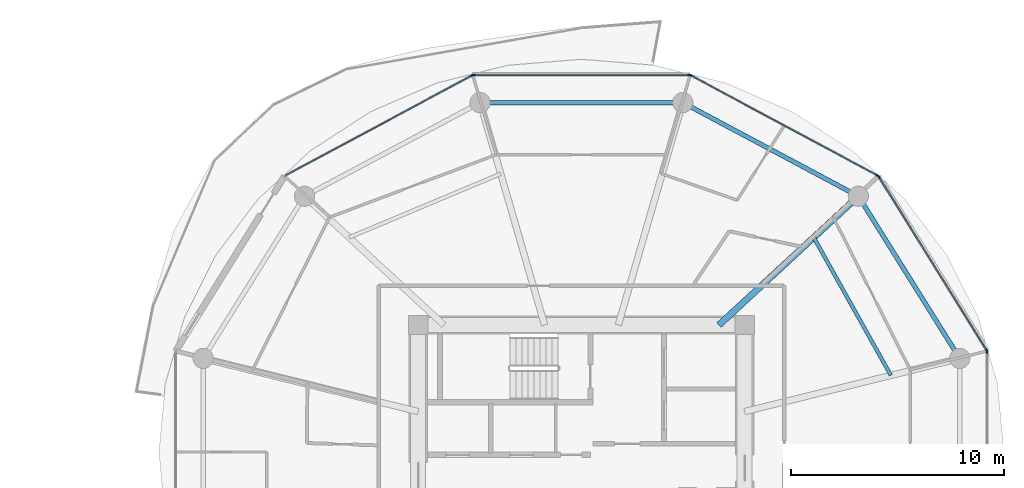
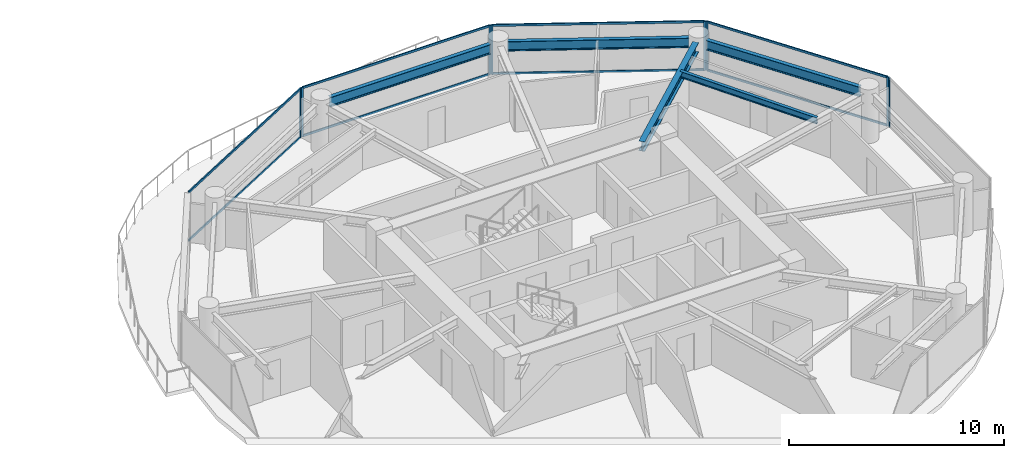
# One storey, part 13 of 27: 16 members, 5 beams, 5 elements without a shape of their own.
"""IFC4 building model written with IfcOpenShell, lengths in metres."""

import ifcopenshell
import ifcopenshell.guid

model = None  # the IFC model being written
_history = None  # IfcOwnerHistory: only IFC2X3 demands one
_inside = {}  # id of a spatial element -> (the spatial element, [elements in it])
_under = {}  # id of a project, library or spatial element -> (it, [spatial elements below it])
_declared = {}  # id of a project -> (the project, [libraries it declares])
_typed = {}  # id of a type object -> (the type object, [elements of that type])
_made_of = {}  # id of a material, layer set ... -> (it, [elements and type objects made of it])


def new_model(schema):
    """Start an empty IFC model of exactly this schema.

    Asked for "IFC4X3", IfcOpenShell would pick the latest addendum, in which some entities
    have other attributes; the version numbers below select the first issue.
    IFC2X3 requires an IfcOwnerHistory on every rooted entity: one is made here for all.
    """
    global model, _history
    if schema == "IFC4X3":
        model = ifcopenshell.file(schema_version=(4, 3, 0, 0))
    else:
        model = ifcopenshell.file(schema=schema)
    _inside.clear()
    _under.clear()
    _declared.clear()
    _typed.clear()
    _made_of.clear()
    _history = None
    if model.schema == "IFC2X3":
        org = make("IfcOrganization", Name="unknown")
        user = make(
            "IfcPersonAndOrganization",
            ThePerson=make("IfcPerson", FamilyName="unknown"),
            TheOrganization=org,
        )
        app = make(
            "IfcApplication",
            ApplicationDeveloper=org,
            Version="unknown",
            ApplicationFullName="unknown",
            ApplicationIdentifier="unknown",
        )
        _history = make(
            "IfcOwnerHistory",
            OwningUser=user,
            OwningApplication=app,
            ChangeAction="ADDED",
            CreationDate=0,
        )
    return model


def make(cls, **values):
    """One entity of the class cls with the attributes given. An attribute that is None is left unset."""
    return model.create_entity(
        cls, **{name: value for name, value in values.items() if value is not None}
    )


def rooted(cls, **values):
    """An entity with a GlobalId (a new one), such as an element, a storey or a relation."""
    return make(cls, GlobalId=ifcopenshell.guid.new(), OwnerHistory=_history, **values)


def si_unit(unit_type, name, prefix=None):
    """IfcSIUnit, for example si_unit("LENGTHUNIT", "METRE", prefix="MILLI")."""
    return make("IfcSIUnit", UnitType=unit_type, Prefix=prefix, Name=name)


def assignment(units):
    """IfcUnitAssignment: the units of a project."""
    return None if units is None else make("IfcUnitAssignment", Units=units)


def point(xyz):
    """IfcCartesianPoint."""
    return None if xyz is None else make("IfcCartesianPoint", Coordinates=xyz)


def direction(xyz):
    """IfcDirection."""
    return None if xyz is None else make("IfcDirection", DirectionRatios=xyz)


def frame(location, z_axis=None, x_axis=None):
    """IfcAxis2Placement3D, a coordinate frame: its origin and axes. An axis left out is left unset."""
    return make(
        "IfcAxis2Placement3D",
        Location=point(location),
        Axis=direction(z_axis),
        RefDirection=direction(x_axis),
    )


def frame_2d(location, x_axis=None):
    """IfcAxis2Placement2D, a coordinate frame in the plane: its origin and x axis."""
    return make(
        "IfcAxis2Placement2D", Location=point(location), RefDirection=direction(x_axis)
    )


def origin():
    """The frame at (0, 0, 0) with its axes left unset."""
    return frame((0.0, 0.0, 0.0))


def origin_2d():
    """The frame at (0, 0) in the plane with its x axis left unset."""
    return frame_2d((0.0, 0.0))


def place(relative_to, where):
    """IfcLocalPlacement: puts the frame where relative to a parent placement (None: the world)."""
    return make(
        "IfcLocalPlacement", PlacementRelTo=relative_to, RelativePlacement=where
    )


def context(
    kind, dimensions, precision=None, world=None, true_north=None, identifier=None
):
    """IfcGeometricRepresentationContext, for example the 3D "Model" context."""
    return make(
        "IfcGeometricRepresentationContext",
        ContextIdentifier=identifier,
        ContextType=kind,
        CoordinateSpaceDimension=dimensions,
        Precision=precision,
        WorldCoordinateSystem=world,
        TrueNorth=true_north,
    )


def subcontext(parent, identifier, kind, view, scale=None):
    """IfcGeometricRepresentationSubContext, for example "Body" below "Model"."""
    return make(
        "IfcGeometricRepresentationSubContext",
        ContextIdentifier=identifier,
        ContextType=kind,
        ParentContext=parent,
        TargetScale=scale,
        TargetView=view,
    )


def project(units=None, contexts=None):
    """IfcProject with its units and contexts."""
    return rooted(
        "IfcProject",
        Name="project",
        RepresentationContexts=contexts,
        UnitsInContext=assignment(units),
    )


def spatial(cls, under=None, at=None, **own):
    """A site, building, storey or space (cls), placed at a placement, below another one or the project."""
    s = rooted(cls, ObjectPlacement=at, **own)
    if under is not None:
        _under.setdefault(under.id(), (under, []))[1].append(s)
    return s


def profile(cls, at=None, kind="AREA", **sizes):
    """A parametric profile (cls). Its sizes go by their IFC names, for example OverallWidth=200.0."""
    return make(cls, ProfileType=kind, Position=at, **sizes)


def rectangle(**sizes):
    """IfcRectangleProfileDef."""
    return profile("IfcRectangleProfileDef", **sizes)


def i_section(**sizes):
    """IfcIShapeProfileDef."""
    return profile("IfcIShapeProfileDef", **sizes)


def extrude(swept, where, along, depth):
    """IfcExtrudedAreaSolid: the profile swept, set in the frame where, extruded along a direction by depth."""
    return make(
        "IfcExtrudedAreaSolid",
        SweptArea=swept,
        Position=where,
        ExtrudedDirection=direction(along),
        Depth=depth,
    )


def shape(context_of_items, identifier, shape_type, items):
    """IfcShapeRepresentation: the items that make up one representation, for example the "Body"."""
    return make(
        "IfcShapeRepresentation",
        ContextOfItems=context_of_items,
        RepresentationIdentifier=identifier,
        RepresentationType=shape_type,
        Items=items,
    )


def source(mapping_origin, context_of_items, identifier, shape_type, items):
    """IfcRepresentationMap: a shape defined once, which mapped items show again and again."""
    return make(
        "IfcRepresentationMap",
        MappingOrigin=mapping_origin,
        MappedRepresentation=shape(context_of_items, identifier, shape_type, items),
    )


def transform(
    local_origin,
    x_axis=None,
    y_axis=None,
    z_axis=None,
    scale=None,
    scale2=None,
    scale3=None,
    uniform=True,
):
    """IfcCartesianTransformationOperator3D, or its non-uniform kind. x_axis, y_axis, z_axis: its Axis1, 2, 3."""
    if uniform:
        return make(
            "IfcCartesianTransformationOperator3D",
            Axis1=direction(x_axis),
            Axis2=direction(y_axis),
            LocalOrigin=point(local_origin),
            Scale=scale,
            Axis3=direction(z_axis),
        )
    return make(
        "IfcCartesianTransformationOperator3DnonUniform",
        Axis1=direction(x_axis),
        Axis2=direction(y_axis),
        LocalOrigin=point(local_origin),
        Scale=scale,
        Axis3=direction(z_axis),
        Scale2=scale2,
        Scale3=scale3,
    )


def mapped(mapping_source, mapping_target):
    """IfcMappedItem: shows the shape of a source again, moved by a transform."""
    return make(
        "IfcMappedItem", MappingSource=mapping_source, MappingTarget=mapping_target
    )


def material(Name=None, Category=None):
    """IfcMaterial."""
    return make("IfcMaterial", Name=Name, Category=Category)


def layer(
    of_material, thickness, ventilated=None, Name=None, Category=None, Priority=None
):
    """IfcMaterialLayer: one layer of a wall or slab, of a material (None: an air gap)."""
    return make(
        "IfcMaterialLayer",
        Material=of_material,
        LayerThickness=thickness,
        IsVentilated=ventilated,
        Name=Name,
        Category=Category,
        Priority=Priority,
    )


def layer_set(layers, Name=None):
    """IfcMaterialLayerSet."""
    return make("IfcMaterialLayerSet", MaterialLayers=layers, LayerSetName=Name)


def material_profile(
    of_material, cross_section, Name=None, Category=None, Priority=None
):
    """IfcMaterialProfile: a cross section and its material."""
    return make(
        "IfcMaterialProfile",
        Name=Name,
        Material=of_material,
        Profile=cross_section,
        Priority=Priority,
        Category=Category,
    )


def profile_set(profiles, Name=None, composite=None):
    """IfcMaterialProfileSet."""
    return make(
        "IfcMaterialProfileSet",
        Name=Name,
        MaterialProfiles=profiles,
        CompositeProfile=composite,
    )


def made_of(thing, what):
    """Note that an element or type object is made of a material, layer set ...; save() writes the relation."""
    if what is not None:
        _made_of.setdefault(what.id(), (what, []))[1].append(thing)
    return thing


def type_object(cls, material=None, **own):
    """A type object (cls), such as IfcWallType, which elements share."""
    return made_of(rooted(cls, **own), material)


def type_shapes(of_type, sources):
    """Give a type object the sources (RepresentationMaps) that its elements show as mapped items."""
    of_type.RepresentationMaps = sources


def element(
    cls,
    number,
    at=None,
    inside=None,
    cuts=None,
    type_object=None,
    material=None,
    context=None,
    identifier="Body",
    shape_type=None,
    held_by="IfcProductDefinitionShape",
    body=None,
    shapes=None,
    **own,
):
    """One element of the class cls, such as IfcWall. Its Tag is "e" and its number.

    at: its placement. inside: the storey or other place that contains it. cuts: it is an
    opening in that element (IfcRelVoidsElement). A single representation is given by context,
    identifier, shape_type and body (its items); several are given by shapes. held_by: the class
    of the entity that holds the representations. save() writes the other relations.
    """
    e = rooted(cls, Tag="e%d" % number, ObjectPlacement=at, **own)
    if body is not None:
        shapes = [shape(context, identifier, shape_type, body)]
    if shapes is not None:
        e.Representation = make(held_by, Representations=shapes)
    if inside is not None:
        _inside.setdefault(inside.id(), (inside, []))[1].append(e)
    if cuts is not None:
        rooted(
            "IfcRelVoidsElement", RelatingBuildingElement=cuts, RelatedOpeningElement=e
        )
    if type_object is not None:
        _typed.setdefault(type_object.id(), (type_object, []))[1].append(e)
    return made_of(e, material)


def aggregate(whole, parts):
    """IfcRelAggregates: a whole, such as a stair, and the parts it consists of."""
    return rooted("IfcRelAggregates", RelatingObject=whole, RelatedObjects=parts)


def save(model, path):
    """Write the relations noted so far, then the file.

    IfcRelAggregates (storeys below a building ...), IfcRelContainedInSpatialStructure (elements
    in a storey), IfcRelDefinesByType, IfcRelAssociatesMaterial and IfcRelDeclares: one each for
    every whole, place, type object, material and project.
    """
    for whole, parts in _under.values():
        aggregate(whole, parts)
    for where, things in _inside.values():
        rooted(
            "IfcRelContainedInSpatialStructure",
            RelatedElements=things,
            RelatingStructure=where,
        )
    for kind, things in _typed.values():
        rooted("IfcRelDefinesByType", RelatedObjects=things, RelatingType=kind)
    for what, things in _made_of.values():
        rooted("IfcRelAssociatesMaterial", RelatedObjects=things, RelatingMaterial=what)
    for by, libraries in _declared.values():
        rooted("IfcRelDeclares", RelatingContext=by, RelatedDefinitions=libraries)
    model.write(path)


model = new_model("IFC4")

# Units and contexts
model_context = context("Model", 3, precision=1e-05, world=origin(), true_north=direction((0.0, 1.0)))
body_context = subcontext(model_context, "Body", "Model", "MODEL_VIEW")
ifc_project = project(units=[si_unit("LENGTHUNIT", "METRE"), si_unit("AREAUNIT", "SQUARE_METRE"), si_unit("VOLUMEUNIT", "CUBIC_METRE"), si_unit("PLANEANGLEUNIT", "RADIAN"), si_unit("MASSUNIT", "GRAM", prefix="KILO")], contexts=[model_context])

# Site, building, storey
site_placement = place(None, origin())
site = spatial("IfcSite", under=ifc_project, at=site_placement, CompositionType="ELEMENT")
building_placement = place(site_placement, origin())
building = spatial("IfcBuilding", under=site, at=building_placement, Name="Norrkilde Senior Care Towers", CompositionType="ELEMENT")
storey_placement = place(building_placement, frame((0.0, 0.0, 61.25)))
storey = spatial("IfcBuildingStorey", under=building, at=storey_placement, Name="L18", CompositionType="ELEMENT", Elevation=61.25)

# Beams
ifc_material_1 = material(Name="Steel S355", Category="steel")
ifc_material_profile_1 = material_profile(ifc_material_1, i_section(OverallWidth=0.2099609375, OverallDepth=0.550048828125, WebThickness=0.010986328125, FlangeThickness=0.01708984375, FilletRadius=0.02392578125, at=origin_2d()), Name="IPE 550")
ifc_profile_set_1 = profile_set([ifc_material_profile_1], Name="Steel S355")
beam_type_1 = type_object("IfcBeamType", Name="Perimeter Ring Spandrel Z1 IPE550", PredefinedType="SPANDREL", material=ifc_profile_set_1)
shared_shape_1 = source(origin(), body_context, "Body", "SweptSolid", [
    extrude(i_section(OverallWidth=0.2099609375, OverallDepth=0.550048828125, WebThickness=0.010986328125, FlangeThickness=0.01708984375, FilletRadius=0.02392578125, at=origin_2d()), origin(), (0.0, 0.0, 1.0), 8.090576171875),
])
beam_1_placement = place(storey_placement, frame((45.494140625, 4.755859375, 2.514892578125), z_axis=(-0.530004364821, 0.84799491347, 0.0), x_axis=(-0.84799491347, -0.530004364821, 0.0)))
element("IfcBeam", 1, at=beam_1_placement, inside=storey, type_object=beam_type_1, Name="L18 Drum E Perimeter Spandrel 01", PredefinedType="SPANDREL", context=body_context, shape_type="MappedRepresentation", body=[
    mapped(shared_shape_1, transform((0.0, 0.0, 0.0), x_axis=(1.0, 0.0, 0.0), y_axis=(0.0, 1.0, 0.0), z_axis=(0.0, 0.0, 1.0), scale=1.0)),
])
shared_shape_2 = source(origin(), body_context, "Body", "SweptSolid", [
    extrude(i_section(OverallWidth=0.2099609375, OverallDepth=0.550048828125, WebThickness=0.010986328125, FlangeThickness=0.01708984375, FilletRadius=0.02392578125, at=origin_2d()), origin(), (0.0, 0.0, 1.0), 8.452880859375),
])
beam_2_placement = place(storey_placement, frame((40.591552734375, 12.190185546875, 2.514892578125), z_axis=(-0.882368931134, 0.470558252898, 0.0), x_axis=(-0.470558252898, -0.882368931134, 0.0)))
element("IfcBeam", 2, at=beam_2_placement, inside=storey, type_object=beam_type_1, Name="L18 Drum E Perimeter Spandrel 02", PredefinedType="SPANDREL", context=body_context, shape_type="MappedRepresentation", body=[
    mapped(shared_shape_2, transform((0.0, 0.0, 0.0), x_axis=(1.0, 0.0, 0.0), y_axis=(0.0, 1.0, 0.0), z_axis=(0.0, 0.0, 1.0), scale=1.0)),
])
ifc_material_profile_2 = material_profile(ifc_material_1, i_section(OverallWidth=0.300048828125, OverallDepth=0.550048828125, WebThickness=0.014892578125, FlangeThickness=0.029052734375, FilletRadius=0.027099609375, at=origin_2d()), Name="HEB 550")
ifc_profile_set_2 = profile_set([ifc_material_profile_2], Name="Steel S355")
beam_type_2 = type_object("IfcBeamType", Name="Radial Floor Beam Z1 HEB550", PredefinedType="BEAM", material=ifc_profile_set_2)
shared_shape_3 = source(origin(), body_context, "Body", "SweptSolid", [
    extrude(i_section(OverallWidth=0.300048828125, OverallDepth=0.550048828125, WebThickness=0.014892578125, FlangeThickness=0.029052734375, FilletRadius=0.027099609375, at=origin_2d()), origin(), (0.0, 0.0, 1.0), 8.459716796875),
])
type_shapes(beam_type_2, [shared_shape_3])
beam_3_placement = place(storey_placement, frame((34.44140625, 5.949951171875, 2.514892578125), z_axis=(0.734573269108, 0.678529374686, 0.0), x_axis=(-0.678529374686, 0.734573269108, 0.0)))
element("IfcBeam", 3, at=beam_3_placement, inside=storey, type_object=beam_type_2, Name="L18 Drum E Radial Floor Beam 02", PredefinedType="BEAM", context=body_context, shape_type="MappedRepresentation", body=[
    mapped(shared_shape_3, transform((0.0, 0.0, 0.0), x_axis=(1.0, 0.0, 0.0), y_axis=(0.0, 1.0, 0.0), z_axis=(0.0, 0.0, 1.0), scale=1.0)),
])
shared_shape_4 = source(origin(), body_context, "Body", "SweptSolid", [
    extrude(i_section(OverallWidth=0.2099609375, OverallDepth=0.550048828125, WebThickness=0.010986328125, FlangeThickness=0.01708984375, FilletRadius=0.02392578125, at=origin_2d()), origin(), (0.0, 0.0, 1.0), 8.62841796875),
])
type_shapes(beam_type_1, [shared_shape_1, shared_shape_2, shared_shape_4])
beam_4_placement = place(storey_placement, frame((32.314208984375, 16.37255859375, 2.514892578125), z_axis=(-1.0, 0.0, 0.0), x_axis=(0.0, -1.0, 0.0)))
element("IfcBeam", 4, at=beam_4_placement, inside=storey, type_object=beam_type_1, Name="L18 Drum E Perimeter Spandrel 03", PredefinedType="SPANDREL", context=body_context, shape_type="MappedRepresentation", body=[
    mapped(shared_shape_4, transform((0.0, 0.0, 0.0), x_axis=(1.0, 0.0, 0.0), y_axis=(0.0, 1.0, 0.0), z_axis=(0.0, 0.0, 1.0), scale=1.0)),
])
ifc_material_profile_3 = material_profile(ifc_material_1, i_section(OverallWidth=0.169921875, OverallDepth=0.360107421875, WebThickness=0.008056640625, FlangeThickness=0.0126953125, FilletRadius=0.01806640625, at=origin_2d()), Name="IPE 360")
ifc_profile_set_3 = profile_set([ifc_material_profile_3], Name="Steel S355")
beam_type_3 = type_object("IfcBeamType", Name="Secondary Floor Joist IPE360", PredefinedType="JOIST", material=ifc_profile_set_3)
shared_shape_5 = source(origin(), body_context, "Body", "SweptSolid", [
    extrude(i_section(OverallWidth=0.169921875, OverallDepth=0.360107421875, WebThickness=0.008056640625, FlangeThickness=0.0126953125, FilletRadius=0.01806640625, at=origin_2d()), origin(), (0.0, 0.0, 1.0), 7.40771484375),
])
type_shapes(beam_type_3, [shared_shape_5])
beam_5_placement = place(storey_placement, frame((42.500732421875, 3.589111328125, 2.610107421875), z_axis=(-0.488167754092, 0.872749817453, 0.0), x_axis=(-0.872749817453, -0.488167754092, 0.0)))
element("IfcBeam", 5, at=beam_5_placement, inside=storey, type_object=beam_type_3, Name="L18 Drum E Secondary Floor Joist 1", PredefinedType="JOIST", context=body_context, shape_type="MappedRepresentation", body=[
    mapped(shared_shape_5, transform((0.0, 0.0, 0.0), x_axis=(1.0, 0.0, 0.0), y_axis=(0.0, 1.0, 0.0), z_axis=(0.0, 0.0, 1.0), scale=1.0)),
])

# Curtain wall, members
ifc_material_2 = material(Name="Triple Low-E Insulated Glazing", Category="glass")
ifc_layer = layer(ifc_material_2, 0.199951171875)
ifc_layer_set = layer_set([ifc_layer], Name="Triple Low-E Insulated Glazing")
curtain_wall_type = type_object("IfcCurtainWallType", Name="CW2 Zone 1 Memory Care Curtain Wall", PredefinedType="NOTDEFINED", material=ifc_layer_set)
curtain_wall_1_placement = place(storey_placement, origin())
curtain_wall_1 = element("IfcCurtainWall", 6, at=curtain_wall_1_placement, inside=storey, type_object=curtain_wall_type, Name="L18 Drum E Curtain Wall 00", PredefinedType="NOTDEFINED")
ifc_material_3 = material(Name="Anodised Aluminium", Category="aluminium")
ifc_material_profile_4 = material_profile(ifc_material_3, rectangle(XDim=0.06494140625, YDim=0.159912109375, at=origin_2d()), Name="ALU MULL 65x160")
ifc_profile_set_4 = profile_set([ifc_material_profile_4], Name="Anodised Aluminium")
member_type_1 = type_object("IfcMemberType", Name="Curtain Wall Mullion Z1-Z2 65x160", PredefinedType="MULLION", material=ifc_profile_set_4)
shared_shape_6 = source(origin(), body_context, "Body", "SweptSolid", [
    extrude(rectangle(XDim=0.06494140625, YDim=0.159912109375, at=origin_2d()), origin(), (0.0, 0.0, 1.0), 2.7900390625),
])
type_shapes(member_type_1, [shared_shape_6])
member_1_placement = place(storey_placement, frame((41.93310546875, 12.898193359375, 0.0), z_axis=(0.0, 0.0, 1.0), x_axis=(0.849305943117, 0.527900951871, 0.0)))
member_1 = element("IfcMember", 7, at=member_1_placement, type_object=member_type_1, Name="CW-2 mullion 1", PredefinedType="MULLION", context=body_context, shape_type="MappedRepresentation", body=[
    mapped(shared_shape_6, transform((0.0, 0.0, 0.0), x_axis=(1.0, 0.0, 0.0), y_axis=(0.0, 1.0, 0.0), z_axis=(0.0, 0.0, 1.0), scale=1.0)),
])
member_2_placement = place(storey_placement, frame((46.9921875, 4.7587890625, 0.0), z_axis=(0.0, 0.0, 1.0), x_axis=(0.849305943117, 0.527900951871, 0.0)))
member_2 = element("IfcMember", 8, at=member_2_placement, type_object=member_type_1, Name="CW-2 mullion 2", PredefinedType="MULLION", context=body_context, shape_type="MappedRepresentation", body=[
    mapped(shared_shape_6, transform((0.0, 0.0, 0.0), x_axis=(1.0, 0.0, 0.0), y_axis=(0.0, 1.0, 0.0), z_axis=(0.0, 0.0, 1.0), scale=1.0)),
])

curtain_wall_2_placement = place(storey_placement, origin())
curtain_wall_2 = element("IfcCurtainWall", 9, at=curtain_wall_2_placement, inside=storey, type_object=curtain_wall_type, Name="L18 Drum E Curtain Wall 01", PredefinedType="NOTDEFINED")
member_3_placement = place(storey_placement, frame((33.122314453125, 17.641845703125, 0.0), z_axis=(0.0, 0.0, 1.0), x_axis=(0.472607802456, 0.881272866403, 0.0)))
member_3 = element("IfcMember", 10, at=member_3_placement, type_object=member_type_1, Name="CW-2 mullion 1", PredefinedType="MULLION", context=body_context, shape_type="MappedRepresentation", body=[
    mapped(shared_shape_6, transform((0.0, 0.0, 0.0), x_axis=(1.0, 0.0, 0.0), y_axis=(0.0, 1.0, 0.0), z_axis=(0.0, 0.0, 1.0), scale=1.0)),
])
member_4_placement = place(storey_placement, frame((41.88720703125, 12.941162109375, 0.0), z_axis=(0.0, 0.0, 1.0), x_axis=(0.472607802456, 0.881272866403, 0.0)))
member_4 = element("IfcMember", 11, at=member_4_placement, type_object=member_type_1, Name="CW-2 mullion 2", PredefinedType="MULLION", context=body_context, shape_type="MappedRepresentation", body=[
    mapped(shared_shape_6, transform((0.0, 0.0, 0.0), x_axis=(1.0, 0.0, 0.0), y_axis=(0.0, 1.0, 0.0), z_axis=(0.0, 0.0, 1.0), scale=1.0)),
])

curtain_wall_3_placement = place(storey_placement, origin())
curtain_wall_3 = element("IfcCurtainWall", 12, at=curtain_wall_3_placement, inside=storey, type_object=curtain_wall_type, Name="L18 Drum E Curtain Wall 02", PredefinedType="NOTDEFINED")
member_5_placement = place(storey_placement, frame((22.93896484375, 17.6572265625, 0.0), z_axis=(0.0, 0.0, 1.0), x_axis=(0.0, 1.0, 0.0)))
member_5 = element("IfcMember", 13, at=member_5_placement, type_object=member_type_1, Name="CW-2 mullion 1", PredefinedType="MULLION", context=body_context, shape_type="MappedRepresentation", body=[
    mapped(shared_shape_6, transform((0.0, 0.0, 0.0), x_axis=(1.0, 0.0, 0.0), y_axis=(0.0, 1.0, 0.0), z_axis=(0.0, 0.0, 1.0), scale=1.0)),
])
member_6_placement = place(storey_placement, frame((33.06103515625, 17.6572265625, 0.0), z_axis=(0.0, 0.0, 1.0), x_axis=(0.0, 1.0, 0.0)))
member_6 = element("IfcMember", 14, at=member_6_placement, type_object=member_type_1, Name="CW-2 mullion 2", PredefinedType="MULLION", context=body_context, shape_type="MappedRepresentation", body=[
    mapped(shared_shape_6, transform((0.0, 0.0, 0.0), x_axis=(1.0, 0.0, 0.0), y_axis=(0.0, 1.0, 0.0), z_axis=(0.0, 0.0, 1.0), scale=1.0)),
])

# Curtain wall, member
curtain_wall_4_placement = place(storey_placement, origin())
curtain_wall_4 = element("IfcCurtainWall", 15, at=curtain_wall_4_placement, inside=storey, type_object=curtain_wall_type, Name="L18 Drum E Curtain Wall 03", PredefinedType="NOTDEFINED")
member_7_placement = place(storey_placement, frame((22.877685546875, 17.641845703125, 0.0), z_axis=(0.0, 0.0, 1.0), x_axis=(-0.472607802456, 0.881272866403, 0.0)))
member_7 = element("IfcMember", 16, at=member_7_placement, type_object=member_type_1, Name="CW-2 mullion 2", PredefinedType="MULLION", context=body_context, shape_type="MappedRepresentation", body=[
    mapped(shared_shape_6, transform((0.0, 0.0, 0.0), x_axis=(1.0, 0.0, 0.0), y_axis=(0.0, 1.0, 0.0), z_axis=(0.0, 0.0, 1.0), scale=1.0)),
])

curtain_wall_5_placement = place(storey_placement, origin())
curtain_wall_5 = element("IfcCurtainWall", 17, at=curtain_wall_5_placement, inside=storey, type_object=curtain_wall_type, Name="L18 Drum E Curtain Wall 11", PredefinedType="NOTDEFINED")
member_8_placement = place(storey_placement, frame((47.009521484375, 4.69873046875, 0.0), z_axis=(0.0, 0.0, 1.0), x_axis=(1.0, 0.0, 0.0)))
member_8 = element("IfcMember", 18, at=member_8_placement, type_object=member_type_1, Name="CW-2 mullion 1", PredefinedType="MULLION", context=body_context, shape_type="MappedRepresentation", body=[
    mapped(shared_shape_6, transform((0.0, 0.0, 0.0), x_axis=(1.0, 0.0, 0.0), y_axis=(0.0, 1.0, 0.0), z_axis=(0.0, 0.0, 1.0), scale=1.0)),
])
aggregate(curtain_wall_5, [member_8])

# Member
ifc_material_profile_5 = material_profile(ifc_material_3, rectangle(XDim=0.06005859375, YDim=0.1201171875, at=origin_2d()), Name="ALU TRAN 60x120")
ifc_profile_set_5 = profile_set([ifc_material_profile_5], Name="Anodised Aluminium")
member_type_2 = type_object("IfcMemberType", Name="Curtain Wall Transom Typical 60x120", PredefinedType="USERDEFINED", material=ifc_profile_set_5)
shared_shape_7 = source(origin(), body_context, "Body", "SweptSolid", [
    extrude(rectangle(XDim=0.06005859375, YDim=0.1201171875, at=origin_2d()), origin(), (0.0, 0.0, 1.0), 9.5185546875),
])
member_9_placement = place(storey_placement, frame((41.9501953125, 12.87060546875, 0.030029296875), z_axis=(0.527901620669, -0.849305527413, 0.0), x_axis=(0.849305527413, 0.527901620669, 0.0)))
member_9 = element("IfcMember", 19, at=member_9_placement, type_object=member_type_2, Name="CW-2 transom 1.1", ObjectType="TRANSOM", PredefinedType="USERDEFINED", context=body_context, shape_type="MappedRepresentation", body=[
    mapped(shared_shape_7, transform((0.0, 0.0, 0.0), x_axis=(1.0, 0.0, 0.0), y_axis=(0.0, 1.0, 0.0), z_axis=(0.0, 0.0, 1.0), scale=1.0)),
])

member_10_placement = place(storey_placement, frame((41.9501953125, 12.87060546875, 2.760009765625), z_axis=(0.527901620669, -0.849305527413, 0.0), x_axis=(0.849305527413, 0.527901620669, 0.0)))
member_10 = element("IfcMember", 20, at=member_10_placement, type_object=member_type_2, Name="CW-2 transom 1.2", ObjectType="TRANSOM", PredefinedType="USERDEFINED", context=body_context, shape_type="MappedRepresentation", body=[
    mapped(shared_shape_7, transform((0.0, 0.0, 0.0), x_axis=(1.0, 0.0, 0.0), y_axis=(0.0, 1.0, 0.0), z_axis=(0.0, 0.0, 1.0), scale=1.0)),
])

aggregate(curtain_wall_1, [member_1, member_2, member_9, member_10])

shared_shape_8 = source(origin(), body_context, "Body", "SweptSolid", [
    extrude(rectangle(XDim=0.06005859375, YDim=0.1201171875, at=origin_2d()), origin(), (0.0, 0.0, 1.0), 9.880859375),
])
member_11_placement = place(storey_placement, frame((33.15087890625, 17.62646484375, 0.030029296875), z_axis=(0.881267204043, -0.47261836092, 0.0), x_axis=(0.47261836092, 0.881267204043, 0.0)))
member_11 = element("IfcMember", 21, at=member_11_placement, type_object=member_type_2, Name="CW-2 transom 1.1", ObjectType="TRANSOM", PredefinedType="USERDEFINED", context=body_context, shape_type="MappedRepresentation", body=[
    mapped(shared_shape_8, transform((0.0, 0.0, 0.0), x_axis=(1.0, 0.0, 0.0), y_axis=(0.0, 1.0, 0.0), z_axis=(0.0, 0.0, 1.0), scale=1.0)),
])

member_12_placement = place(storey_placement, frame((33.15087890625, 17.62646484375, 2.760009765625), z_axis=(0.881267204043, -0.47261836092, 0.0), x_axis=(0.47261836092, 0.881267204043, 0.0)))
member_12 = element("IfcMember", 22, at=member_12_placement, type_object=member_type_2, Name="CW-2 transom 1.2", ObjectType="TRANSOM", PredefinedType="USERDEFINED", context=body_context, shape_type="MappedRepresentation", body=[
    mapped(shared_shape_8, transform((0.0, 0.0, 0.0), x_axis=(1.0, 0.0, 0.0), y_axis=(0.0, 1.0, 0.0), z_axis=(0.0, 0.0, 1.0), scale=1.0)),
])

aggregate(curtain_wall_2, [member_3, member_4, member_11, member_12])

member_13_placement = place(storey_placement, frame((14.141357421875, 12.95654296875, 0.030029296875), z_axis=(0.881267204043, 0.47261836092, 0.0), x_axis=(-0.47261836092, 0.881267204043, 0.0)))
member_13 = element("IfcMember", 23, at=member_13_placement, type_object=member_type_2, Name="CW-2 transom 1.1", ObjectType="TRANSOM", PredefinedType="USERDEFINED", context=body_context, shape_type="MappedRepresentation", body=[
    mapped(shared_shape_8, transform((0.0, 0.0, 0.0), x_axis=(1.0, 0.0, 0.0), y_axis=(0.0, 1.0, 0.0), z_axis=(0.0, 0.0, 1.0), scale=1.0)),
])

member_14_placement = place(storey_placement, frame((14.141357421875, 12.95654296875, 2.760009765625), z_axis=(0.881267204043, 0.47261836092, 0.0), x_axis=(-0.47261836092, 0.881267204043, 0.0)))
member_14 = element("IfcMember", 24, at=member_14_placement, type_object=member_type_2, Name="CW-2 transom 1.2", ObjectType="TRANSOM", PredefinedType="USERDEFINED", context=body_context, shape_type="MappedRepresentation", body=[
    mapped(shared_shape_8, transform((0.0, 0.0, 0.0), x_axis=(1.0, 0.0, 0.0), y_axis=(0.0, 1.0, 0.0), z_axis=(0.0, 0.0, 1.0), scale=1.0)),
])

aggregate(curtain_wall_4, [member_7, member_13, member_14])

shared_shape_9 = source(origin(), body_context, "Body", "SweptSolid", [
    extrude(rectangle(XDim=0.06005859375, YDim=0.1201171875, at=origin_2d()), origin(), (0.0, 0.0, 1.0), 10.05712890625),
])
type_shapes(member_type_2, [shared_shape_7, shared_shape_8, shared_shape_9])
member_15_placement = place(storey_placement, frame((22.971435546875, 17.6572265625, 0.030029296875), z_axis=(1.0, 0.0, 0.0), x_axis=(0.0, 1.0, 0.0)))
member_15 = element("IfcMember", 25, at=member_15_placement, type_object=member_type_2, Name="CW-2 transom 1.1", ObjectType="TRANSOM", PredefinedType="USERDEFINED", context=body_context, shape_type="MappedRepresentation", body=[
    mapped(shared_shape_9, transform((0.0, 0.0, 0.0), x_axis=(1.0, 0.0, 0.0), y_axis=(0.0, 1.0, 0.0), z_axis=(0.0, 0.0, 1.0), scale=1.0)),
])

member_16_placement = place(storey_placement, frame((22.971435546875, 17.6572265625, 2.760009765625), z_axis=(1.0, 0.0, 0.0), x_axis=(0.0, 1.0, 0.0)))
member_16 = element("IfcMember", 26, at=member_16_placement, type_object=member_type_2, Name="CW-2 transom 1.2", ObjectType="TRANSOM", PredefinedType="USERDEFINED", context=body_context, shape_type="MappedRepresentation", body=[
    mapped(shared_shape_9, transform((0.0, 0.0, 0.0), x_axis=(1.0, 0.0, 0.0), y_axis=(0.0, 1.0, 0.0), z_axis=(0.0, 0.0, 1.0), scale=1.0)),
])

aggregate(curtain_wall_3, [member_5, member_6, member_15, member_16])

save(model, "model.ifc")
